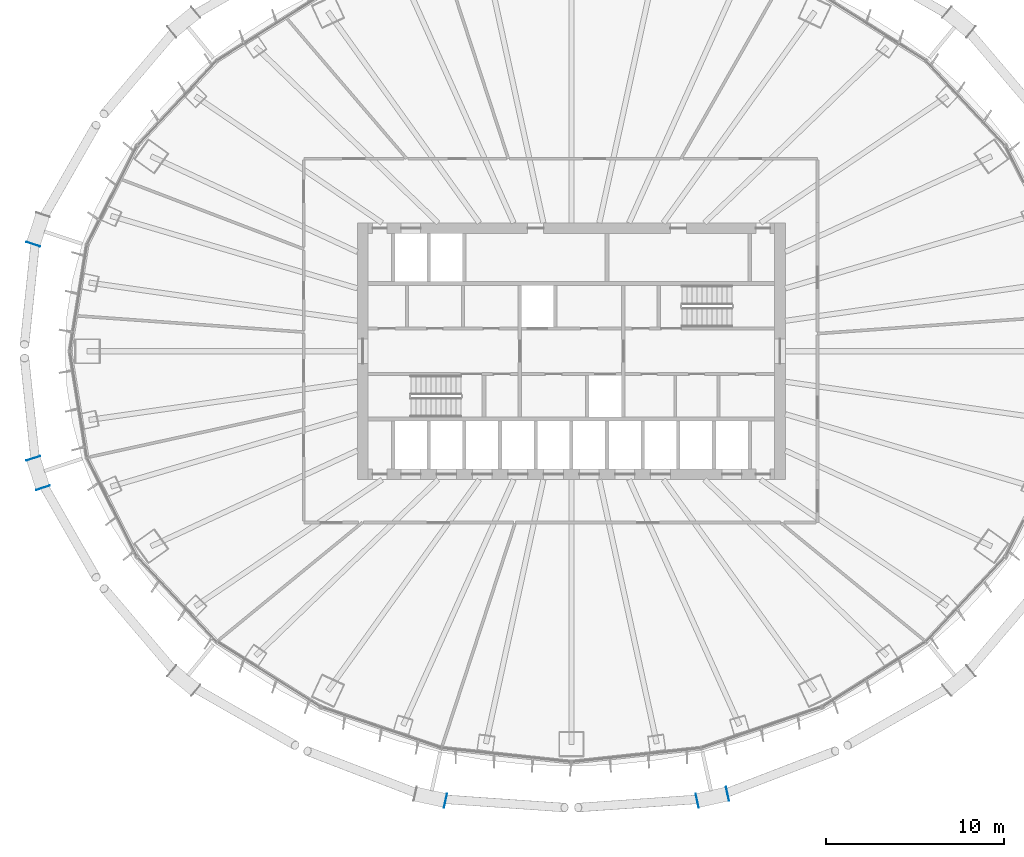
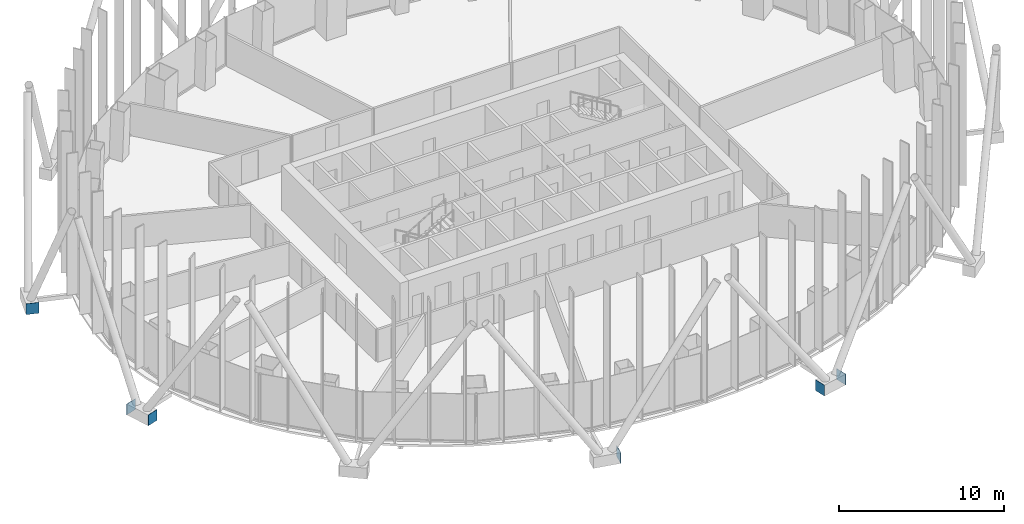
# One storey, part 11 of 22: 6 discrete accessories.
"""IFC4 building model written with IfcOpenShell, lengths in metres."""

from ifc_helpers import new_model, si_unit, direction, frame, origin, origin_2d, place, context, subcontext, project, spatial, rectangle, extrude, material, layer, layer_set, type_object, element, save


model = new_model("IFC4")

# Units and contexts
model_context = context("Model", 3, precision=1e-05, world=origin(), true_north=direction((0.0, 1.0)))
body_context = subcontext(model_context, "Body", "Model", "MODEL_VIEW")
ifc_project = project(units=[si_unit("LENGTHUNIT", "METRE"), si_unit("AREAUNIT", "SQUARE_METRE"), si_unit("VOLUMEUNIT", "CUBIC_METRE"), si_unit("PLANEANGLEUNIT", "RADIAN"), si_unit("MASSUNIT", "GRAM", prefix="KILO")], contexts=[model_context])

# Site, building, storey
site_placement = place(None, origin())
site = spatial("IfcSite", under=ifc_project, at=site_placement, CompositionType="ELEMENT")
building_placement = place(site_placement, origin())
building = spatial("IfcBuilding", under=site, at=building_placement, Name="Siaravel Broadcast Tower", CompositionType="ELEMENT")
storey_placement = place(building_placement, frame((0.0, 0.0, 37.10009765625)))
storey = spatial("IfcBuildingStorey", under=building, at=storey_placement, Name="L07", CompositionType="ELEMENT", Elevation=37.10009765625)

# Discrete accessories
ifc_material = material(Name="Steel S355", Category="steel")
ifc_layer = layer(ifc_material, 0.02001953125)
ifc_layer_set = layer_set([ifc_layer], Name="Steel S355")
discrete_accessory_type = type_object("IfcDiscreteAccessoryType", Name="Steel end plate 20 mm", PredefinedType="USERDEFINED", material=ifc_layer_set)
for number, where, z_axis, x_axis, name in (
    (1, (-30.177490234375, 6.002685546875, -0.60009765625), (0.0, 0.0, 1.0), (-0.310910334, -0.950439248, 0.0), "End plate R04 station 33A"),
    (2, (-29.63623046875, -7.657470703125, -0.60009765625), (0.0, 0.0, 1.0), (0.310910334, -0.950439248, 0.0), "End plate R04 station 39A"),
    (3, (-30.177490234375, -6.002685546875, -0.60009765625), (0.0, 0.0, 1.0), (0.310910334, -0.950439248, 0.0), "End plate R04 station 39B"),
    (4, (-7.05859375, -25.19921875, -0.60009765625), (0.0, 0.0, 1.0), (0.976750917, -0.214377344, 0.0), "End plate R04 station 51A"),
    (5, (8.759033203125, -24.825927734375, -0.60009765625), (0.0, 0.0, 1.0), (0.976750917, 0.214377344, 0.0), "End plate R04 station 57A"),
    (6, (7.05859375, -25.19921875, -0.60009765625), (0.0, 0.0, 1.0), (0.976750917, 0.214377344, 0.0), "End plate R04 station 57B"),
):
    element("IfcDiscreteAccessory", number, at=place(storey_placement, frame(where, z_axis=z_axis, x_axis=x_axis)), inside=storey, type_object=discrete_accessory_type, Name=name, ObjectType="END PLATE", PredefinedType="USERDEFINED", context=body_context, shape_type="SweptSolid", body=[
        extrude(rectangle(XDim=0.02001953125, YDim=0.800048828125, at=origin_2d()), origin(), (0.0, 0.0, 1.0), 0.800048828125),
    ])

save(model, "model.ifc")
